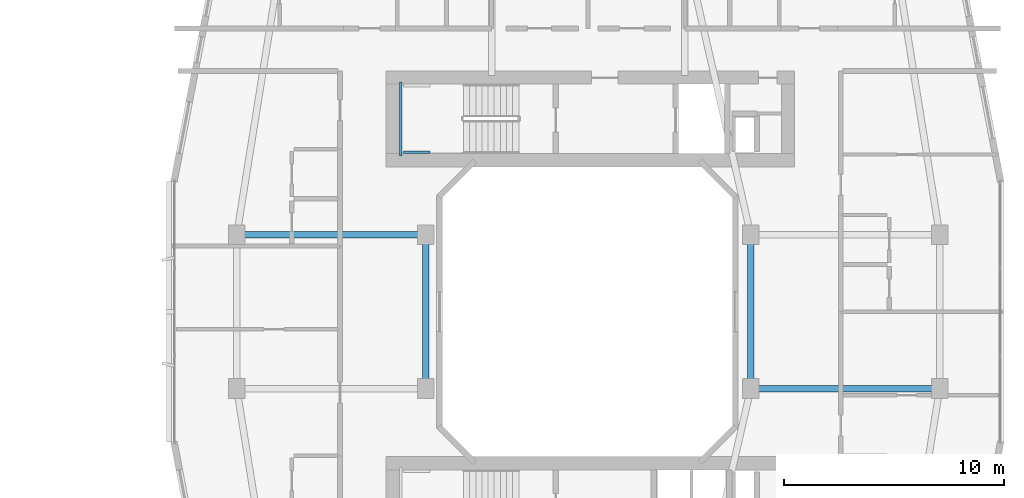
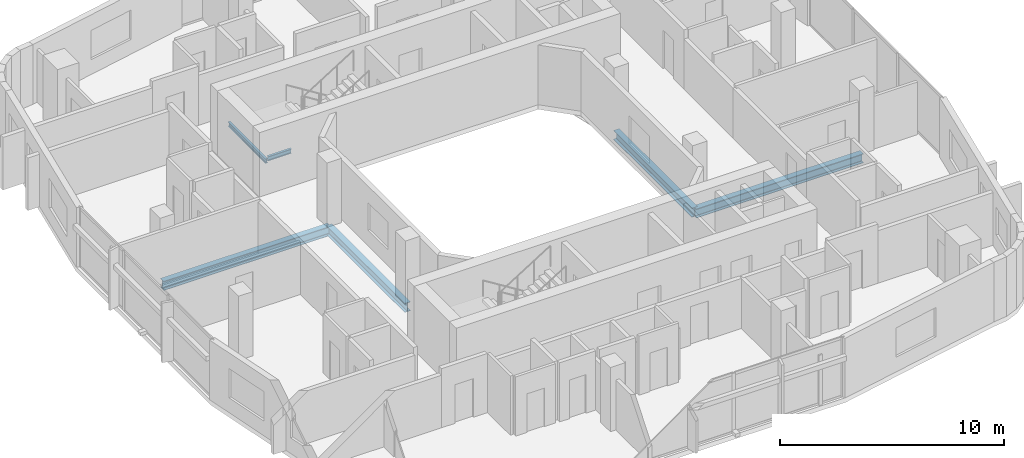
# One storey, part 9 of 26: 6 beams.
"""IFC4 building model written with IfcOpenShell, lengths in metres."""

from ifc_helpers import new_model, si_unit, derived_unit, direction, frame, origin, origin_2d, place, context, subcontext, project, spatial, i_section, extrude, material, material_profile, profile_set, type_object, element, save


model = new_model("IFC4")

# Units and contexts
model_context = context("Model", 3, precision=1e-05, world=origin(), true_north=direction((0.0, 1.0)))
body_context = subcontext(model_context, "Body", "Model", "MODEL_VIEW")
ifc_project = project(units=[si_unit("LENGTHUNIT", "METRE"), si_unit("AREAUNIT", "SQUARE_METRE"), si_unit("VOLUMEUNIT", "CUBIC_METRE"), si_unit("PLANEANGLEUNIT", "RADIAN"), si_unit("MASSUNIT", "GRAM", prefix="KILO"), derived_unit("THERMALTRANSMITTANCEUNIT", [(si_unit("POWERUNIT", "WATT"), 1), (si_unit("LENGTHUNIT", "METRE"), -2), (si_unit("THERMODYNAMICTEMPERATUREUNIT", "KELVIN"), -1)])], contexts=[model_context])

# Site, building, storey
site_placement = place(None, origin())
site = spatial("IfcSite", under=ifc_project, at=site_placement, CompositionType="ELEMENT")
building_placement = place(site_placement, origin())
building = spatial("IfcBuilding", under=site, at=building_placement, Name="Kivonza Crest Hotel", CompositionType="ELEMENT")
storey_placement = place(building_placement, frame((0.0, 0.0, 52.0)))
storey = spatial("IfcBuildingStorey", under=building, at=storey_placement, Name="L13", CompositionType="ELEMENT", Elevation=52.0)

# Beams
ifc_material = material(Name="Steel S355", Category="steel")
ifc_material_profile_1 = material_profile(ifc_material, i_section(OverallWidth=0.300048828125, OverallDepth=0.5, WebThickness=0.014404296875, FlangeThickness=0.028076171875, FilletRadius=0.027099609375, at=origin_2d()), Name="HEB 500")
ifc_profile_set_1 = profile_set([ifc_material_profile_1], Name="Steel S355")
beam_type_1 = type_object("IfcBeamType", Name="BM-HEB500", PredefinedType="BEAM", material=ifc_profile_set_1)
beam_1_placement = place(storey_placement, frame((61.0, 28.5, -0.5), z_axis=(1.0, 0.0, 0.0), x_axis=(0.0, 1.0, 0.0)))
element("IfcBeam", 1, at=beam_1_placement, inside=storey, type_object=beam_type_1, Name="Companion Tower T2 L13 girder W2-WL2", PredefinedType="BEAM", context=body_context, shape_type="SweptSolid", body=[
    extrude(i_section(OverallWidth=0.300048828125, OverallDepth=0.5, WebThickness=0.014404296875, FlangeThickness=0.028076171875, FilletRadius=0.027099609375, at=origin_2d()), origin(), (0.0, 0.0, 1.0), 8.60009765625),
])
beam_2_placement = place(storey_placement, frame((69.60009765625, 21.5, -0.5), z_axis=(0.0, 1.0, 0.0), x_axis=(-1.0, 0.0, 0.0)))
element("IfcBeam", 2, at=beam_2_placement, inside=storey, type_object=beam_type_1, Name="Companion Tower T2 L13 girder WL1-WL2", PredefinedType="BEAM", context=body_context, shape_type="SweptSolid", body=[
    extrude(i_section(OverallWidth=0.300048828125, OverallDepth=0.5, WebThickness=0.014404296875, FlangeThickness=0.028076171875, FilletRadius=0.027099609375, at=origin_2d()), origin(), (0.0, 0.0, 1.0), 7.0),
])
beam_3_placement = place(storey_placement, frame((84.39990234375, 21.5, -0.5), z_axis=(1.0, 0.0, 0.0), x_axis=(0.0, 1.0, 0.0)))
element("IfcBeam", 3, at=beam_3_placement, inside=storey, type_object=beam_type_1, Name="Companion Tower T2 L13 girder WR1-E1", PredefinedType="BEAM", context=body_context, shape_type="SweptSolid", body=[
    extrude(i_section(OverallWidth=0.300048828125, OverallDepth=0.5, WebThickness=0.014404296875, FlangeThickness=0.028076171875, FilletRadius=0.027099609375, at=origin_2d()), origin(), (0.0, 0.0, 1.0), 8.60009765625),
])
beam_4_placement = place(storey_placement, frame((84.39990234375, 21.5, -0.5), z_axis=(0.0, 1.0, 0.0), x_axis=(-1.0, 0.0, 0.0)))
element("IfcBeam", 4, at=beam_4_placement, inside=storey, type_object=beam_type_1, Name="Companion Tower T2 L13 girder WR1-WR2", PredefinedType="BEAM", context=body_context, shape_type="SweptSolid", body=[
    extrude(i_section(OverallWidth=0.300048828125, OverallDepth=0.5, WebThickness=0.014404296875, FlangeThickness=0.028076171875, FilletRadius=0.027099609375, at=origin_2d()), origin(), (0.0, 0.0, 1.0), 7.0),
])
ifc_material_profile_2 = material_profile(ifc_material, i_section(OverallWidth=0.1201171875, OverallDepth=0.239990234375, WebThickness=0.006103515625, FlangeThickness=0.009765625, FilletRadius=0.014892578125, at=origin_2d()), Name="IPE 240")
ifc_profile_set_2 = profile_set([ifc_material_profile_2], Name="Steel S355")
beam_type_2 = type_object("IfcBeamType", Name="BM-LLDG-240", PredefinedType="BEAM", material=ifc_profile_set_2)
beam_5_placement = place(storey_placement, frame((68.4599609375, 32.10009765625, 1.429931640625), z_axis=(0.0, 1.0, 0.0), x_axis=(-1.0, 0.0, 0.0)))
element("IfcBeam", 5, at=beam_5_placement, inside=storey, type_object=beam_type_2, Name="Stair ST-T2-N L13 West landing corbel", PredefinedType="BEAM", context=body_context, shape_type="SweptSolid", body=[
    extrude(i_section(OverallWidth=0.1201171875, OverallDepth=0.239990234375, WebThickness=0.006103515625, FlangeThickness=0.009765625, FilletRadius=0.014892578125, at=origin_2d()), origin(), (0.0, 0.0, 1.0), 3.35986328125),
])
beam_6_placement = place(storey_placement, frame((68.590087890625, 32.260009765625, 1.429931640625), z_axis=(1.0, 0.0, 0.0), x_axis=(0.0, 1.0, 0.0)))
element("IfcBeam", 6, at=beam_6_placement, inside=storey, type_object=beam_type_2, Name="Stair ST-T2-N L13 South landing corbel", PredefinedType="BEAM", context=body_context, shape_type="SweptSolid", body=[
    extrude(i_section(OverallWidth=0.1201171875, OverallDepth=0.239990234375, WebThickness=0.006103515625, FlangeThickness=0.009765625, FilletRadius=0.014892578125, at=origin_2d()), origin(), (0.0, 0.0, 1.0), 1.2099609375),
])

save(model, "model.ifc")
